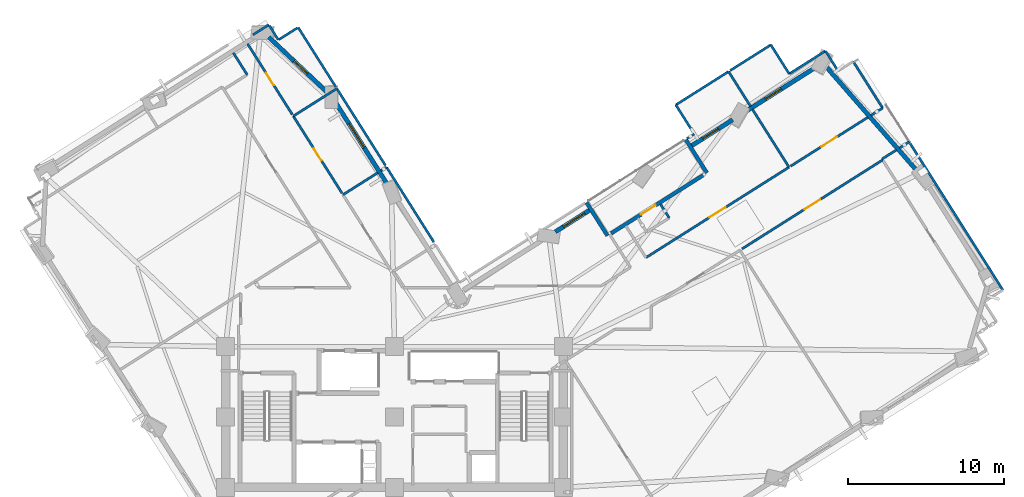
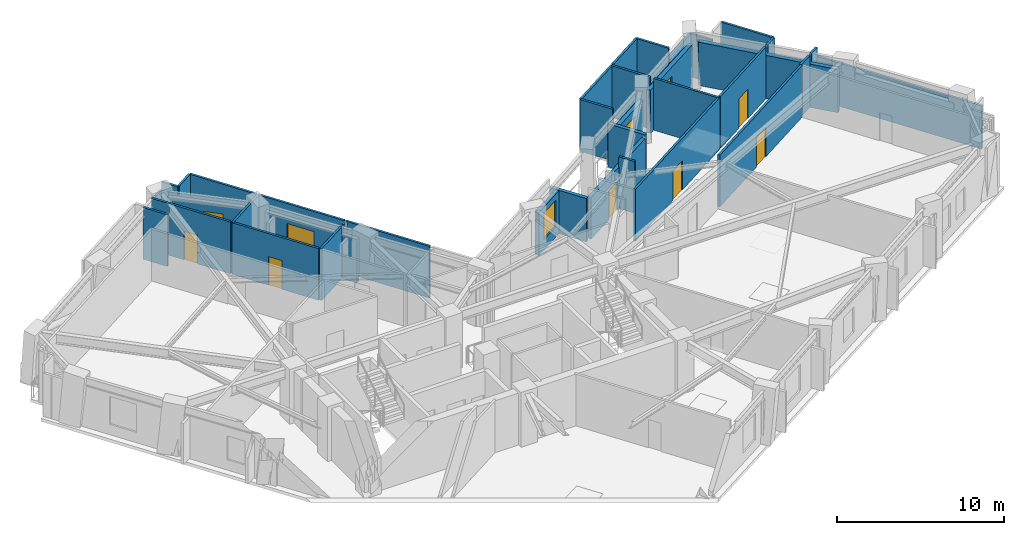
# One storey, part 8 of 14: 39 walls, 6 doors, 5 windows, 11 openings.
"""IFC4 building model written with IfcOpenShell, lengths in metres."""

from ifc_helpers import new_model, si_unit, direction, frame, frame_2d, origin, place, context, subcontext, project, spatial, rectangle, extrude, material, layer, layer_set, type_object, element, fill, save


model = new_model("IFC4")

# Units and contexts
model_context = context("Model", 3, precision=1e-05, world=origin(), true_north=direction((0.0, 1.0)))
body_context = subcontext(model_context, "Body", "Model", "MODEL_VIEW")
ifc_project = project(units=[si_unit("LENGTHUNIT", "METRE"), si_unit("AREAUNIT", "SQUARE_METRE"), si_unit("VOLUMEUNIT", "CUBIC_METRE"), si_unit("PLANEANGLEUNIT", "RADIAN"), si_unit("MASSUNIT", "GRAM", prefix="KILO")], contexts=[model_context])

# Site, building, storey
site_placement = place(None, origin())
site = spatial("IfcSite", under=ifc_project, at=site_placement, CompositionType="ELEMENT")
building_placement = place(site_placement, origin())
building = spatial("IfcBuilding", under=site, at=building_placement, Name="Gaonmaruhae Medical Tower", CompositionType="ELEMENT")
storey_placement = place(building_placement, frame((0.0, 0.0, 161.800048828125)))
storey = spatial("IfcBuildingStorey", under=building, at=storey_placement, Name="L38", CompositionType="ELEMENT", Elevation=161.800048828125)

# Wall, opening, door
ifc_material_1 = material(Name="Precast concrete C45/55", Category="concrete")
ifc_layer_1 = layer(ifc_material_1, 0.239990234375)
ifc_layer_set_1 = layer_set([ifc_layer_1], Name="Precast concrete C45/55")
wall_type_1 = type_object("IfcWallType", Name="EW-240 Ribbon & Shelter Insulated Precast Wall", PredefinedType="SOLIDWALL", material=ifc_layer_set_1)
wall_1_placement = place(storey_placement, frame((38.665283203125, 24.050537109375, 0.0), z_axis=(0.0, 0.0, 1.0), x_axis=(0.84524375299, 0.534380948417, 0.0)))
wall_1 = element("IfcWall", 1, at=wall_1_placement, inside=storey, type_object=wall_type_1, Name="L38 Recessed Terrace Enclosure Wall TERB", PredefinedType="SOLIDWALL", context=body_context, shape_type="SweptSolid", body=[
    extrude(rectangle(XDim=6.9599609375, YDim=0.239990234375, at=frame_2d((3.47998046875, 0.0))), origin(), (0.0, 0.0, 1.0), 3.044921875),
])
opening_1_placement = place(wall_1_placement, frame((2.2626953125, 0.0, 0.0)))
opening_1 = element("IfcOpeningElement", 2, at=opening_1_placement, cuts=wall_1, Name="Opening TD-01", PredefinedType="OPENING", context=body_context, shape_type="SweptSolid", body=[
    extrude(rectangle(XDim=1.10009765625, YDim=2.14990234375, at=frame_2d((0.550048828125, 1.074951171875))), frame((0.0, 0.1298828125, 0.0), z_axis=(0.0, -1.0, 0.0), x_axis=(1.0, 0.0, 0.0)), (0.0, 0.0, 1.0), 0.260009765625),
])
ifc_material_2 = material(Name="Anodised aluminium and toughened safety glass", Category="aluminium")
door_type_1 = type_object("IfcDoorType", Name="TD-01 Terrace & Sky Garden Glazed Door 1100x2150", OperationType="NOTDEFINED", PredefinedType="DOOR", material=ifc_material_2)
door_1_placement = place(opening_1_placement, origin())
door_1 = element("IfcDoor", 3, at=door_1_placement, inside=storey, type_object=door_type_1, Name="L38 Outdoor Terrace Access Door SLB-L38-TER", OperationType="SINGLE_SWING_RIGHT", OverallHeight=2.14990234375, OverallWidth=1.10009765625, PredefinedType="DOOR", context=body_context, shape_type="SweptSolid", body=[
    extrude(rectangle(XDim=1.10009765625, YDim=2.14990234375, at=frame_2d((0.550048828125, 1.074951171875))), frame((0.0, 0.02490234375, 0.0), z_axis=(0.0, -1.0, 0.0), x_axis=(1.0, 0.0, 0.0)), (0.0, 0.0, 1.0), 0.050048828125),
])
fill(opening_1, door_1)

# Walls
wall_2_placement = place(storey_placement, frame((37.092529296875, 26.01416015625, 0.0), z_axis=(0.0, 0.0, 1.0), x_axis=(0.534345648323, -0.845266069423, 0.0)))
element("IfcWall", 4, at=wall_2_placement, inside=storey, type_object=wall_type_1, Name="L38 Recessed Terrace Enclosure Wall TERL", PredefinedType="SOLIDWALL", context=body_context, shape_type="SweptSolid", body=[
    extrude(rectangle(XDim=2.500244140625, YDim=0.239990234375, at=frame_2d((1.25, 0.0))), origin(), (0.0, 0.0, 1.0), 3.1650390625),
])
wall_3_placement = place(storey_placement, frame((44.784912109375, 27.91943359375, 0.0), z_axis=(0.0, 0.0, 1.0), x_axis=(-0.53438975665, 0.845238184175, 0.0)))
element("IfcWall", 5, at=wall_3_placement, inside=storey, type_object=wall_type_1, Name="L38 Recessed Terrace Enclosure Wall TERR", PredefinedType="SOLIDWALL", context=body_context, shape_type="SweptSolid", body=[
    extrude(rectangle(XDim=2.5, YDim=0.239990234375, at=frame_2d((1.25, 0.0))), origin(), (0.0, 0.0, 1.0), 3.1650390625),
])
ifc_layer_2 = layer(ifc_material_1, 0.280029296875)
ifc_layer_set_2 = layer_set([ifc_layer_2], Name="Precast concrete C45/55")
wall_type_2 = type_object("IfcWallType", Name="EW-280 Upper Precast Masonry-Frame Facade Wall", PredefinedType="SOLIDWALL", material=ifc_layer_set_2)
wall_4_placement = place(storey_placement, frame((52.410888671875, 34.717041015625, 0.0), z_axis=(0.0, 0.0, 1.0), x_axis=(0.657255929189, -0.753667462178, 0.0)))
element("IfcWall", 6, at=wall_4_placement, inside=storey, type_object=wall_type_2, Name="L38 Precast Masonry-Frame Wall E02-E03", PredefinedType="SOLIDWALL", context=body_context, shape_type="SweptSolid", body=[
    extrude(rectangle(XDim=8.837646484375, YDim=0.280029296875, at=frame_2d((4.4189453125, 0.0))), origin(), (0.0, 0.0, 1.0), 3.1650390625),
])

# Wall, opening, window
wall_5_placement = place(storey_placement, frame((47.24609375, 31.82958984375, 0.0), z_axis=(0.0, 0.0, 1.0), x_axis=(0.845266635119, 0.534344753464, 0.0)))
wall_5 = element("IfcWall", 7, at=wall_5_placement, inside=storey, type_object=wall_type_2, Name="L38 Precast Masonry-Frame Wall E03-EN01", PredefinedType="SOLIDWALL", context=body_context, shape_type="SweptSolid", body=[
    extrude(rectangle(XDim=5.404541015625, YDim=0.280029296875, at=frame_2d((2.7021484375, 0.0))), origin(), (0.0, 0.0, 1.0), 3.1650390625),
])
opening_2_placement = place(wall_5_placement, frame((1.527587890625, 0.0, 0.75)))
opening_2 = element("IfcOpeningElement", 8, at=opening_2_placement, cuts=wall_5, Name="Opening WN-05", PredefinedType="OPENING", context=body_context, shape_type="SweptSolid", body=[
    extrude(rectangle(XDim=1.199951171875, YDim=1.75, at=frame_2d((0.60009765625, 0.875))), frame((0.0, 0.14990234375, 0.0), z_axis=(0.0, -1.0, 0.0), x_axis=(1.0, 0.0, 0.0)), (0.0, 0.0, 1.0), 0.300048828125),
])
ifc_material_3 = material(Name="Anodised aluminium and Low-E double glazing", Category="aluminium")
window_type_1 = type_object("IfcWindowType", Name="WN-05 Support & Staff Punched Window 1200x1750", PartitioningType="SINGLE_PANEL", PredefinedType="WINDOW", material=ifc_material_3)
window_1_placement = place(opening_2_placement, origin())
window_1 = element("IfcWindow", 9, at=window_1_placement, inside=storey, type_object=window_type_1, Name="L38 Modular Facade Window E03", OverallHeight=1.75, OverallWidth=1.199951171875, PartitioningType="SINGLE_PANEL", PredefinedType="WINDOW", context=body_context, shape_type="SweptSolid", body=[
    extrude(rectangle(XDim=1.199951171875, YDim=1.75, at=frame_2d((0.60009765625, 0.875))), frame((0.0, 0.030029296875, 0.0), z_axis=(0.0, -1.0, 0.0), x_axis=(1.0, 0.0, 0.0)), (0.0, 0.0, 1.0), 0.06005859375),
])
fill(opening_2, window_1)

wall_6_placement = place(storey_placement, frame((43.73828125, 29.612060546875, 0.0), z_axis=(0.0, 0.0, 1.0), x_axis=(0.845268690178, 0.534341502604, 0.0)))
wall_6 = element("IfcWall", 10, at=wall_6_placement, inside=storey, type_object=wall_type_2, Name="L38 Precast Masonry-Frame Wall EN01-EN02", PredefinedType="SOLIDWALL", context=body_context, shape_type="SweptSolid", body=[
    extrude(rectangle(XDim=3.188720703125, YDim=0.280029296875, at=frame_2d((1.59423828125, 0.0))), origin(), (0.0, 0.0, 1.0), 3.044921875),
])
opening_3_placement = place(wall_6_placement, frame((0.915283203125, 0.0, 0.75)))
opening_3 = element("IfcOpeningElement", 11, at=opening_3_placement, cuts=wall_6, Name="Opening WN-05", PredefinedType="OPENING", context=body_context, shape_type="SweptSolid", body=[
    extrude(rectangle(XDim=1.199951171875, YDim=1.75, at=frame_2d((0.60009765625, 0.875))), frame((0.0, 0.14990234375, 0.0), z_axis=(0.0, -1.0, 0.0), x_axis=(1.0, 0.0, 0.0)), (0.0, 0.0, 1.0), 0.300048828125),
])
window_2_placement = place(opening_3_placement, origin())
window_2 = element("IfcWindow", 12, at=window_2_placement, inside=storey, type_object=window_type_1, Name="L38 Modular Facade Window EN01", OverallHeight=1.75, OverallWidth=1.199951171875, PartitioningType="SINGLE_PANEL", PredefinedType="WINDOW", context=body_context, shape_type="SweptSolid", body=[
    extrude(rectangle(XDim=1.199951171875, YDim=1.75, at=frame_2d((0.60009765625, 0.875))), frame((0.0, 0.030029296875, 0.0), z_axis=(0.0, -1.0, 0.0), x_axis=(1.0, 0.0, 0.0)), (0.0, 0.0, 1.0), 0.06005859375),
])
fill(opening_3, window_2)

wall_7_placement = place(storey_placement, frame((35.08837890625, 24.143798828125, 0.0), z_axis=(0.0, 0.0, 1.0), x_axis=(0.845263172576, 0.534350230735, 0.0)))
wall_7 = element("IfcWall", 13, at=wall_7_placement, inside=storey, type_object=wall_type_2, Name="L38 Precast Masonry-Frame Wall EN02-EN03", PredefinedType="SOLIDWALL", context=body_context, shape_type="SweptSolid", body=[
    extrude(rectangle(XDim=2.673828125, YDim=0.280029296875, at=frame_2d((1.3369140625, 0.0))), origin(), (0.0, 0.0, 1.0), 3.14501953125),
])
opening_4_placement = place(wall_7_placement, frame((0.61181640625, 0.0, 0.75)))
opening_4 = element("IfcOpeningElement", 14, at=opening_4_placement, cuts=wall_7, Name="Opening WN-01", PredefinedType="OPENING", context=body_context, shape_type="SweptSolid", body=[
    extrude(rectangle(XDim=1.60009765625, YDim=1.949951171875, at=frame_2d((0.800048828125, 0.97509765625))), frame((0.0, 0.14990234375, 0.0), z_axis=(0.0, -1.0, 0.0), x_axis=(1.0, 0.0, 0.0)), (0.0, 0.0, 1.0), 0.300048828125),
])
window_type_2 = type_object("IfcWindowType", Name="WN-01 Ward Punched Acoustic Window 1600x1950", PartitioningType="SINGLE_PANEL", PredefinedType="WINDOW", material=ifc_material_3)
window_3_placement = place(opening_4_placement, origin())
window_3 = element("IfcWindow", 15, at=window_3_placement, inside=storey, type_object=window_type_2, Name="L38 Modular Facade Window EN02", OverallHeight=1.949951171875, OverallWidth=1.60009765625, PartitioningType="SINGLE_PANEL", PredefinedType="WINDOW", context=body_context, shape_type="SweptSolid", body=[
    extrude(rectangle(XDim=1.60009765625, YDim=1.949951171875, at=frame_2d((0.800048828125, 0.97509765625))), frame((0.0, 0.030029296875, 0.0), z_axis=(0.0, -1.0, 0.0), x_axis=(1.0, 0.0, 0.0)), (0.0, 0.0, 1.0), 0.06005859375),
])
fill(opening_4, window_3)

wall_8_placement = place(storey_placement, frame((24.4091796875, 27.08056640625, 0.0), z_axis=(0.0, 0.0, 1.0), x_axis=(-0.534364923139, 0.845253884296, 0.0)))
wall_8 = element("IfcWall", 16, at=wall_8_placement, inside=storey, type_object=wall_type_2, Name="L38 Precast Masonry-Frame Wall NE01-NE02", PredefinedType="SOLIDWALL", context=body_context, shape_type="SweptSolid", body=[
    extrude(rectangle(XDim=6.22265625, YDim=0.280029296875, at=frame_2d((3.111328125, 0.0))), origin(), (0.0, 0.0, 1.0), 3.1650390625),
])
opening_5_placement = place(wall_8_placement, frame((2.911376953125, 0.0, 0.75)))
opening_5 = element("IfcOpeningElement", 17, at=opening_5_placement, cuts=wall_8, Name="Opening WN-04", PredefinedType="OPENING", context=body_context, shape_type="SweptSolid", body=[
    extrude(rectangle(XDim=1.800048828125, YDim=2.050048828125, at=frame_2d((0.89990234375, 1.02490234375))), frame((0.0, 0.14990234375, 0.0), z_axis=(0.0, -1.0, 0.0), x_axis=(1.0, 0.0, 0.0)), (0.0, 0.0, 1.0), 0.300048828125),
])
window_type_3 = type_object("IfcWindowType", Name="WN-04 Clinic & Consult Punched Window 1800x2050", PartitioningType="SINGLE_PANEL", PredefinedType="WINDOW", material=ifc_material_3)
window_4_placement = place(opening_5_placement, origin())
window_4 = element("IfcWindow", 18, at=window_4_placement, inside=storey, type_object=window_type_3, Name="L38 Modular Facade Window NE01", OverallHeight=2.050048828125, OverallWidth=1.800048828125, PartitioningType="SINGLE_PANEL", PredefinedType="WINDOW", context=body_context, shape_type="SweptSolid", body=[
    extrude(rectangle(XDim=1.800048828125, YDim=2.050048828125, at=frame_2d((0.89990234375, 1.02490234375))), frame((0.0, 0.030029296875, 0.0), z_axis=(0.0, -1.0, 0.0), x_axis=(1.0, 0.0, 0.0)), (0.0, 0.0, 1.0), 0.06005859375),
])
fill(opening_5, window_4)

wall_9_placement = place(storey_placement, frame((16.760009765625, 36.601806640625, 0.0), z_axis=(0.0, 0.0, 1.0), x_axis=(0.727536761249, -0.686068699936, 0.0)))
wall_9 = element("IfcWall", 19, at=wall_9_placement, inside=storey, type_object=wall_type_2, Name="L38 Precast Masonry-Frame Wall NE02-N01", PredefinedType="SOLIDWALL", context=body_context, shape_type="SweptSolid", body=[
    extrude(rectangle(XDim=5.092529296875, YDim=0.280029296875, at=frame_2d((2.54638671875, 0.0))), origin(), (0.0, 0.0, 1.0), 3.1650390625),
])
opening_6_placement = place(wall_9_placement, frame((2.219970703125, 0.0, 0.75)))
opening_6 = element("IfcOpeningElement", 20, at=opening_6_placement, cuts=wall_9, Name="Opening WN-05", PredefinedType="OPENING", context=body_context, shape_type="SweptSolid", body=[
    extrude(rectangle(XDim=1.199951171875, YDim=1.75, at=frame_2d((0.60009765625, 0.875))), frame((0.0, 0.14990234375, 0.0), z_axis=(0.0, -1.0, 0.0), x_axis=(1.0, 0.0, 0.0)), (0.0, 0.0, 1.0), 0.300048828125),
])
window_5_placement = place(opening_6_placement, origin())
window_5 = element("IfcWindow", 21, at=window_5_placement, inside=storey, type_object=window_type_1, Name="L38 Modular Facade Window NE02", OverallHeight=1.75, OverallWidth=1.199951171875, PartitioningType="SINGLE_PANEL", PredefinedType="WINDOW", context=body_context, shape_type="SweptSolid", body=[
    extrude(rectangle(XDim=1.199951171875, YDim=1.75, at=frame_2d((0.60009765625, 0.875))), frame((0.0, 0.030029296875, 0.0), z_axis=(0.0, -1.0, 0.0), x_axis=(1.0, 0.0, 0.0)), (0.0, 0.0, 1.0), 0.06005859375),
])
fill(opening_6, window_5)

# Wall, opening, door
ifc_material_4 = material(Name="Gypsum board partition", Category="gypsum")
ifc_layer_3 = layer(ifc_material_4, 0.14990234375)
ifc_layer_set_3 = layer_set([ifc_layer_3], Name="Gypsum board partition")
wall_type_3 = type_object("IfcWallType", Name="PW-150 Rated Clinical Corridor Partition", PredefinedType="PARTITIONING", material=ifc_layer_set_3)
wall_10_placement = place(storey_placement, frame((47.033935546875, 23.05908203125, 0.0), z_axis=(0.0, 0.0, 1.0), x_axis=(0.845254384561, 0.534364131825, 0.0)))
wall_10 = element("IfcWall", 22, at=wall_10_placement, inside=storey, type_object=wall_type_3, Name="L38 Interior Partition L38-SUP04-28", PredefinedType="PARTITIONING", context=body_context, shape_type="SweptSolid", body=[
    extrude(rectangle(XDim=10.640869140625, YDim=0.14990234375, at=frame_2d((5.3203125, 0.0))), origin(), (0.0, 0.0, 1.0), 3.780029296875),
])
opening_7_placement = place(wall_10_placement, frame((4.72021484375, 0.0, 0.0)))
opening_7 = element("IfcOpeningElement", 23, at=opening_7_placement, cuts=wall_10, Name="Opening CD-02", PredefinedType="OPENING", context=body_context, shape_type="SweptSolid", body=[
    extrude(rectangle(XDim=1.199951171875, YDim=2.14990234375, at=frame_2d((0.60009765625, 1.074951171875))), frame((0.0, 0.0849609375, 0.0), z_axis=(0.0, -1.0, 0.0), x_axis=(1.0, 0.0, 0.0)), (0.0, 0.0, 1.0), 0.169921875),
])
ifc_material_5 = material(Name="Antimicrobial laminate timber fire door", Category="wood")
door_type_2 = type_object("IfcDoorType", Name="CD-02 Clinical Treatment & Procedure Door 1200x2150", OperationType="NOTDEFINED", PredefinedType="DOOR", material=ifc_material_5)
door_2_placement = place(opening_7_placement, origin())
door_2 = element("IfcDoor", 24, at=door_2_placement, inside=storey, type_object=door_type_2, Name="L38 Clinical Biomedical Charting Office Door", OperationType="SINGLE_SWING_LEFT", OverallHeight=2.14990234375, OverallWidth=1.199951171875, PredefinedType="DOOR", context=body_context, shape_type="SweptSolid", body=[
    extrude(rectangle(XDim=1.199951171875, YDim=2.14990234375, at=frame_2d((0.60009765625, 1.074951171875))), frame((0.0, 0.02490234375, 0.0), z_axis=(0.0, -1.0, 0.0), x_axis=(1.0, 0.0, 0.0)), (0.0, 0.0, 1.0), 0.050048828125),
])
fill(opening_7, door_2)

# Walls
wall_11_placement = place(storey_placement, frame((43.968994140625, 30.407958984375, 0.0), z_axis=(0.0, 0.0, 1.0), x_axis=(-0.534389454456, 0.845238375233, 0.0)))
element("IfcWall", 25, at=wall_11_placement, inside=storey, type_object=wall_type_3, Name="L38 Interior Partition L38-IE02-65", PredefinedType="PARTITIONING", context=body_context, shape_type="SweptSolid", body=[
    extrude(rectangle(XDim=2.20068359375, YDim=0.14990234375, at=frame_2d((1.100341796875, 0.0))), origin(), (0.0, 0.0, 1.0), 3.780029296875),
])
wall_12_placement = place(storey_placement, frame((42.79296875, 32.26806640625, 0.0), z_axis=(0.0, 0.0, 1.0), x_axis=(0.845240509007, 0.534386079473, 0.0)))
element("IfcWall", 26, at=wall_12_placement, inside=storey, type_object=wall_type_3, Name="L38 Interior Partition L38-IE02-66", PredefinedType="PARTITIONING", context=body_context, shape_type="SweptSolid", body=[
    extrude(rectangle(XDim=3.995361328125, YDim=0.14990234375, at=frame_2d((1.99755859375, 0.0))), origin(), (0.0, 0.0, 1.0), 3.780029296875),
])
wall_13_placement = place(storey_placement, frame((46.169921875, 34.403076171875, 0.0), z_axis=(0.0, 0.0, 1.0), x_axis=(0.53437293713, -0.845248817842, 0.0)))
element("IfcWall", 27, at=wall_13_placement, inside=storey, type_object=wall_type_3, Name="L38 Interior Partition L38-IE02-67", PredefinedType="PARTITIONING", context=body_context, shape_type="SweptSolid", body=[
    extrude(rectangle(XDim=2.634765625, YDim=0.14990234375, at=frame_2d((1.3173828125, 0.0))), origin(), (0.0, 0.0, 1.0), 3.780029296875),
])
wall_14_placement = place(storey_placement, frame((47.700927734375, 31.98095703125, 0.0), z_axis=(0.0, 0.0, 1.0), x_axis=(0.534410719014, -0.845224930657, 0.0)))
element("IfcWall", 28, at=wall_14_placement, inside=storey, type_object=wall_type_3, Name="L38 Interior Partition L38-IE02-68", PredefinedType="PARTITIONING", context=body_context, shape_type="SweptSolid", body=[
    extrude(rectangle(XDim=4.375244140625, YDim=0.14990234375, at=frame_2d((2.1875, 0.0))), origin(), (0.0, 0.0, 1.0), 3.780029296875),
])

# Wall, opening, door
wall_15_placement = place(storey_placement, frame((50.0390625, 28.282958984375, 0.0), z_axis=(0.0, 0.0, 1.0), x_axis=(-0.845280431179, -0.534322929197, 0.0)))
wall_15 = element("IfcWall", 29, at=wall_15_placement, inside=storey, type_object=wall_type_3, Name="L38 Interior Partition L38-IE02-69", PredefinedType="PARTITIONING", context=body_context, shape_type="SweptSolid", body=[
    extrude(rectangle(XDim=10.828369140625, YDim=0.14990234375, at=frame_2d((5.4140625, 0.0))), origin(), (0.0, 0.0, 1.0), 3.780029296875),
])
opening_8_placement = place(wall_15_placement, frame((4.814208984375, 0.0, 0.0)))
opening_8 = element("IfcOpeningElement", 30, at=opening_8_placement, cuts=wall_15, Name="Opening CD-02", PredefinedType="OPENING", context=body_context, shape_type="SweptSolid", body=[
    extrude(rectangle(XDim=1.199951171875, YDim=2.14990234375, at=frame_2d((0.60009765625, 1.074951171875))), frame((0.0, 0.0849609375, 0.0), z_axis=(0.0, -1.0, 0.0), x_axis=(1.0, 0.0, 0.0)), (0.0, 0.0, 1.0), 0.169921875),
])
door_3_placement = place(opening_8_placement, origin())
door_3 = element("IfcDoor", 31, at=door_3_placement, inside=storey, type_object=door_type_2, Name="L38 Acute Treatment Examination Room Door", OperationType="SINGLE_SWING_RIGHT", OverallHeight=2.14990234375, OverallWidth=1.199951171875, PredefinedType="DOOR", context=body_context, shape_type="SweptSolid", body=[
    extrude(rectangle(XDim=1.199951171875, YDim=2.14990234375, at=frame_2d((0.60009765625, 1.074951171875))), frame((0.0, 0.02490234375, 0.0), z_axis=(0.0, -1.0, 0.0), x_axis=(1.0, 0.0, 0.0)), (0.0, 0.0, 1.0), 0.050048828125),
])
fill(opening_8, door_3)

# Walls
wall_16_placement = place(storey_placement, frame((42.3759765625, 25.035888671875, 0.0), z_axis=(0.0, 0.0, 1.0), x_axis=(-0.534776670064, 0.844993439711, 0.0)))
element("IfcWall", 32, at=wall_16_placement, inside=storey, type_object=wall_type_3, Name="L38 Interior Partition L38-IE02-73", PredefinedType="PARTITIONING", context=body_context, shape_type="SweptSolid", body=[
    extrude(rectangle(XDim=1.0546875, YDim=0.14990234375, at=frame_2d((0.52734375, 0.0))), origin(), (0.0, 0.0, 1.0), 3.780029296875),
])
wall_17_placement = place(storey_placement, frame((43.5, 30.112060546875, 0.0), z_axis=(0.0, 0.0, 1.0), x_axis=(0.845739888668, 0.533595390456, 0.0)))
element("IfcWall", 33, at=wall_17_placement, inside=storey, type_object=wall_type_3, Name="L38 Interior Partition L38-IE02-74", PredefinedType="PARTITIONING", context=body_context, shape_type="SweptSolid", body=[
    extrude(rectangle(XDim=0.554443359375, YDim=0.14990234375, at=frame_2d((0.27734375, 0.0))), origin(), (0.0, 0.0, 1.0), 3.14501953125),
])
wall_18_placement = place(storey_placement, frame((50.053955078125, 34.256103515625, 0.0), z_axis=(0.0, 0.0, 1.0), x_axis=(0.845480432123, 0.534006403424, 0.0)))
element("IfcWall", 34, at=wall_18_placement, inside=storey, type_object=wall_type_3, Name="L38 Interior Partition L38-IE03-75", PredefinedType="PARTITIONING", context=body_context, shape_type="SweptSolid", body=[
    extrude(rectangle(XDim=2.739501953125, YDim=0.14990234375, at=frame_2d((1.36962890625, 0.0))), origin(), (0.0, 0.0, 1.0), 3.1650390625),
])
wall_19_placement = place(storey_placement, frame((52.3701171875, 35.718994140625, 0.0), z_axis=(0.0, 0.0, 1.0), x_axis=(0.533943992974, -0.845519847411, 0.0)))
element("IfcWall", 35, at=wall_19_placement, inside=storey, type_object=wall_type_3, Name="L38 Interior Partition L38-IE03-76", PredefinedType="PARTITIONING", context=body_context, shape_type="SweptSolid", body=[
    extrude(rectangle(XDim=1.499755859375, YDim=0.14990234375, at=frame_2d((0.75, 0.0))), origin(), (0.0, 0.0, 1.0), 3.1650390625),
])
wall_20_placement = place(storey_placement, frame((54.135009765625, 35.06103515625, 0.0), z_axis=(0.0, 0.0, 1.0), x_axis=(0.534114933468, -0.845411874678, 0.0)))
element("IfcWall", 36, at=wall_20_placement, inside=storey, type_object=wall_type_3, Name="L38 Interior Partition L38-IE03-78", PredefinedType="PARTITIONING", context=body_context, shape_type="SweptSolid", body=[
    extrude(rectangle(XDim=3.540283203125, YDim=0.14990234375, at=frame_2d((1.77001953125, 0.0))), origin(), (0.0, 0.0, 1.0), 3.780029296875),
])
wall_21_placement = place(storey_placement, frame((56.02587890625, 32.068115234375, 0.0), z_axis=(0.0, 0.0, 1.0), x_axis=(-0.844973843972, -0.534807631774, 0.0)))
element("IfcWall", 37, at=wall_21_placement, inside=storey, type_object=wall_type_3, Name="L38 Interior Partition L38-IE03-79", PredefinedType="PARTITIONING", context=body_context, shape_type="SweptSolid", body=[
    extrude(rectangle(XDim=0.879150390625, YDim=0.14990234375, at=frame_2d((0.439453125, 0.0))), origin(), (0.0, 0.0, 1.0), 3.780029296875),
])

# Wall, opening, door
wall_22_placement = place(storey_placement, frame((55.0859375, 31.47412109375, 0.0), z_axis=(0.0, 0.0, 1.0), x_axis=(-0.845228065929, -0.534405760229, 0.0)))
wall_22 = element("IfcWall", 38, at=wall_22_placement, inside=storey, type_object=wall_type_3, Name="L38 Interior Partition L38-IE03-80", PredefinedType="PARTITIONING", context=body_context, shape_type="SweptSolid", body=[
    extrude(rectangle(XDim=5.851806640625, YDim=0.14990234375, at=frame_2d((2.92578125, 0.0))), origin(), (0.0, 0.0, 1.0), 3.780029296875),
])
opening_9_placement = place(wall_22_placement, frame((2.32568359375, 0.0, 0.0)))
opening_9 = element("IfcOpeningElement", 39, at=opening_9_placement, cuts=wall_22, Name="Opening CD-02", PredefinedType="OPENING", context=body_context, shape_type="SweptSolid", body=[
    extrude(rectangle(XDim=1.199951171875, YDim=2.14990234375, at=frame_2d((0.60009765625, 1.074951171875))), frame((0.0, 0.0849609375, 0.0), z_axis=(0.0, -1.0, 0.0), x_axis=(1.0, 0.0, 0.0)), (0.0, 0.0, 1.0), 0.169921875),
])
door_4_placement = place(opening_9_placement, origin())
door_4 = element("IfcDoor", 40, at=door_4_placement, inside=storey, type_object=door_type_2, Name="L38 Clean Medication Preparation Room Door", OperationType="SINGLE_SWING_RIGHT", OverallHeight=2.14990234375, OverallWidth=1.199951171875, PredefinedType="DOOR", context=body_context, shape_type="SweptSolid", body=[
    extrude(rectangle(XDim=1.199951171875, YDim=2.14990234375, at=frame_2d((0.60009765625, 1.074951171875))), frame((0.0, 0.02490234375, 0.0), z_axis=(0.0, -1.0, 0.0), x_axis=(1.0, 0.0, 0.0)), (0.0, 0.0, 1.0), 0.050048828125),
])
fill(opening_9, door_4)

# Walls
wall_23_placement = place(storey_placement, frame((46.27099609375, 34.467041015625, 0.0), z_axis=(0.0, 0.0, 1.0), x_axis=(0.845364764878, 0.534189492879, 0.0)))
element("IfcWall", 41, at=wall_23_placement, inside=storey, type_object=wall_type_3, Name="L38 Interior Partition L38-IE03-81", PredefinedType="PARTITIONING", context=body_context, shape_type="SweptSolid", body=[
    extrude(rectangle(XDim=3.0849609375, YDim=0.14990234375, at=frame_2d((1.54248046875, 0.0))), origin(), (0.0, 0.0, 1.0), 3.780029296875),
])
wall_24_placement = place(storey_placement, frame((48.87890625, 36.114990234375, 0.0), z_axis=(0.0, 0.0, 1.0), x_axis=(0.53432292285, -0.845280435191, 0.0)))
element("IfcWall", 42, at=wall_24_placement, inside=storey, type_object=wall_type_3, Name="L38 Interior Partition L38-IE03-82", PredefinedType="PARTITIONING", context=body_context, shape_type="SweptSolid", body=[
    extrude(rectangle(XDim=2.19921875, YDim=0.14990234375, at=frame_2d((1.099609375, 0.0))), origin(), (0.0, 0.0, 1.0), 3.780029296875),
])
wall_25_placement = place(storey_placement, frame((21.510009765625, 26.52099609375, 0.0), z_axis=(0.0, 0.0, 1.0), x_axis=(0.845248817842, 0.53437293713, 0.0)))
element("IfcWall", 43, at=wall_25_placement, inside=storey, type_object=wall_type_3, Name="L38 Interior Partition L38-IN01-84", PredefinedType="PARTITIONING", context=body_context, shape_type="SweptSolid", body=[
    extrude(rectangle(XDim=2.634765625, YDim=0.14990234375, at=frame_2d((1.3173828125, 0.0))), origin(), (0.0, 0.0, 1.0), 3.780029296875),
])
wall_26_placement = place(storey_placement, frame((23.930908203125, 28.052001953125, 0.0), z_axis=(0.0, 0.0, 1.0), x_axis=(0.846101639655, 0.533021589969, 0.0)))
element("IfcWall", 44, at=wall_26_placement, inside=storey, type_object=wall_type_3, Name="L38 Interior Partition L38-IN01-85", PredefinedType="PARTITIONING", context=body_context, shape_type="SweptSolid", body=[
    extrude(rectangle(XDim=0.43505859375, YDim=0.14990234375, at=frame_2d((0.217529296875, 0.0))), origin(), (0.0, 0.0, 1.0), 3.780029296875),
])
wall_27_placement = place(storey_placement, frame((24.299072265625, 28.283935546875, 0.0), z_axis=(0.0, 0.0, 1.0), x_axis=(0.534373014898, -0.845248768677, 0.0)))
element("IfcWall", 45, at=wall_27_placement, inside=storey, type_object=wall_type_3, Name="L38 Interior Partition L38-IN01-86", PredefinedType="PARTITIONING", context=body_context, shape_type="SweptSolid", body=[
    extrude(rectangle(XDim=5.6552734375, YDim=0.14990234375, at=frame_2d((2.82763671875, 0.0))), origin(), (0.0, 0.0, 1.0), 3.780029296875),
])

# Wall, opening, door
wall_28_placement = place(storey_placement, frame((21.446044921875, 26.6220703125, 0.0), z_axis=(0.0, 0.0, 1.0), x_axis=(-0.534429314986, 0.845213172687, 0.0)))
wall_28 = element("IfcWall", 46, at=wall_28_placement, inside=storey, type_object=wall_type_3, Name="L38 Interior Partition L38-IN02-87", PredefinedType="PARTITIONING", context=body_context, shape_type="SweptSolid", body=[
    extrude(rectangle(XDim=5.83056640625, YDim=0.14990234375, at=frame_2d((2.915283203125, 0.0))), origin(), (0.0, 0.0, 1.0), 3.780029296875),
])
opening_10_placement = place(wall_28_placement, frame((2.455078125, 0.0, 0.0)))
opening_10 = element("IfcOpeningElement", 47, at=opening_10_placement, cuts=wall_28, Name="Opening UD-01", PredefinedType="OPENING", context=body_context, shape_type="SweptSolid", body=[
    extrude(rectangle(XDim=0.919921875, YDim=2.10009765625, at=frame_2d((0.4599609375, 1.050048828125))), frame((0.0, 0.0849609375, 0.0), z_axis=(0.0, -1.0, 0.0), x_axis=(1.0, 0.0, 0.0)), (0.0, 0.0, 1.0), 0.169921875),
])
ifc_material_6 = material(Name="Powder-coated steel utility door", Category="steel")
door_type_3 = type_object("IfcDoorType", Name="UD-01 Toilet, Utility & Housekeeping Door 920x2100", OperationType="NOTDEFINED", PredefinedType="DOOR", material=ifc_material_6)
door_5_placement = place(opening_10_placement, origin())
door_5 = element("IfcDoor", 48, at=door_5_placement, inside=storey, type_object=door_type_3, Name="L38 Ward Nutrition Pantry Door", OperationType="SINGLE_SWING_RIGHT", OverallHeight=2.10009765625, OverallWidth=0.919921875, PredefinedType="DOOR", context=body_context, shape_type="SweptSolid", body=[
    extrude(rectangle(XDim=0.919921875, YDim=2.10009765625, at=frame_2d((0.4599609375, 1.050048828125))), frame((0.0, 0.02490234375, 0.0), z_axis=(0.0, -1.0, 0.0), x_axis=(1.0, 0.0, 0.0)), (0.0, 0.0, 1.0), 0.050048828125),
])
fill(opening_10, door_5)

# Walls
wall_29_placement = place(storey_placement, frame((18.330078125, 31.550048828125, 0.0), z_axis=(0.0, 0.0, 1.0), x_axis=(0.845378143146, 0.534168320936, 0.0)))
element("IfcWall", 49, at=wall_29_placement, inside=storey, type_object=wall_type_3, Name="L38 Interior Partition L38-IN02-88", PredefinedType="PARTITIONING", context=body_context, shape_type="SweptSolid", body=[
    extrude(rectangle(XDim=3.30029296875, YDim=0.14990234375, at=frame_2d((1.650146484375, 0.0))), origin(), (0.0, 0.0, 1.0), 3.780029296875),
])
wall_30_placement = place(storey_placement, frame((21.1201171875, 33.31298828125, 0.0), z_axis=(0.0, 0.0, 1.0), x_axis=(0.53438530718, -0.845240997272, 0.0)))
element("IfcWall", 50, at=wall_30_placement, inside=storey, type_object=wall_type_3, Name="L38 Interior Partition L38-IN02-89", PredefinedType="PARTITIONING", context=body_context, shape_type="SweptSolid", body=[
    extrude(rectangle(XDim=5.8291015625, YDim=0.14990234375, at=frame_2d((2.91455078125, 0.0))), origin(), (0.0, 0.0, 1.0), 3.780029296875),
])
wall_31_placement = place(storey_placement, frame((18.64306640625, 37.23095703125, 0.0), z_axis=(0.0, 0.0, 1.0), x_axis=(0.534434415404, -0.845209947665, 0.0)))
element("IfcWall", 51, at=wall_31_placement, inside=storey, type_object=wall_type_3, Name="L38 Interior Partition L38-IN03-90", PredefinedType="PARTITIONING", context=body_context, shape_type="SweptSolid", body=[
    extrude(rectangle(XDim=4.5146484375, YDim=0.14990234375, at=frame_2d((2.25732421875, 0.0))), origin(), (0.0, 0.0, 1.0), 3.780029296875),
])

# Wall, opening, door
wall_32_placement = place(storey_placement, frame((18.26611328125, 31.652099609375, 0.0), z_axis=(0.0, 0.0, 1.0), x_axis=(-0.534496026991, 0.84517098692, 0.0)))
wall_32 = element("IfcWall", 52, at=wall_32_placement, inside=storey, type_object=wall_type_3, Name="L38 Interior Partition L38-IN03-91", PredefinedType="PARTITIONING", context=body_context, shape_type="SweptSolid", body=[
    extrude(rectangle(XDim=5.34912109375, YDim=0.14990234375, at=frame_2d((2.674560546875, 0.0))), origin(), (0.0, 0.0, 1.0), 3.780029296875),
])
opening_11_placement = place(wall_32_placement, frame((2.214599609375, 0.0, 0.0)))
opening_11 = element("IfcOpeningElement", 53, at=opening_11_placement, cuts=wall_32, Name="Opening UD-01", PredefinedType="OPENING", context=body_context, shape_type="SweptSolid", body=[
    extrude(rectangle(XDim=0.919921875, YDim=2.10009765625, at=frame_2d((0.4599609375, 1.050048828125))), frame((0.0, 0.0849609375, 0.0), z_axis=(0.0, -1.0, 0.0), x_axis=(1.0, 0.0, 0.0)), (0.0, 0.0, 1.0), 0.169921875),
])
door_6_placement = place(opening_11_placement, origin())
door_6 = element("IfcDoor", 54, at=door_6_placement, inside=storey, type_object=door_type_3, Name="L38 Public Visitor Toilet Door", OperationType="SINGLE_SWING_RIGHT", OverallHeight=2.10009765625, OverallWidth=0.919921875, PredefinedType="DOOR", context=body_context, shape_type="SweptSolid", body=[
    extrude(rectangle(XDim=0.919921875, YDim=2.10009765625, at=frame_2d((0.4599609375, 1.050048828125))), frame((0.0, 0.02490234375, 0.0), z_axis=(0.0, -1.0, 0.0), x_axis=(1.0, 0.0, 0.0)), (0.0, 0.0, 1.0), 0.050048828125),
])
fill(opening_11, door_6)

# Walls
wall_33_placement = place(storey_placement, frame((15.75, 36.7509765625, 0.0), z_axis=(0.0, 0.0, 1.0), x_axis=(0.845363390997, 0.534191667065, 0.0)))
element("IfcWall", 55, at=wall_33_placement, inside=storey, type_object=wall_type_3, Name="L38 Interior Partition L38-IN03-92", PredefinedType="PARTITIONING", context=body_context, shape_type="SweptSolid", body=[
    extrude(rectangle(XDim=1.201904296875, YDim=0.14990234375, at=frame_2d((0.60107421875, 0.0))), origin(), (0.0, 0.0, 1.0), 3.1650390625),
])
wall_34_placement = place(storey_placement, frame((16.79296875, 37.35107421875, 0.0), z_axis=(0.0, 0.0, 1.0), x_axis=(0.534161581177, -0.845382401754, 0.0)))
element("IfcWall", 56, at=wall_34_placement, inside=storey, type_object=wall_type_3, Name="L38 Interior Partition L38-IN03-93", PredefinedType="PARTITIONING", context=body_context, shape_type="SweptSolid", body=[
    extrude(rectangle(XDim=1.089599609375, YDim=0.14990234375, at=frame_2d((0.544921875, 0.0))), origin(), (0.0, 0.0, 1.0), 3.780029296875),
])
wall_35_placement = place(storey_placement, frame((17.4169921875, 36.45703125, 0.0), z_axis=(0.0, 0.0, 1.0), x_axis=(0.845737430746, 0.533599286202, 0.0)))
element("IfcWall", 57, at=wall_35_placement, inside=storey, type_object=wall_type_3, Name="L38 Interior Partition L38-IN03-94", PredefinedType="PARTITIONING", context=body_context, shape_type="SweptSolid", body=[
    extrude(rectangle(XDim=1.400146484375, YDim=0.14990234375, at=frame_2d((0.7001953125, 0.0))), origin(), (0.0, 0.0, 1.0), 3.780029296875),
])
wall_36_placement = place(storey_placement, frame((14.493896484375, 35.595947265625, 0.0), z_axis=(0.0, 0.0, 1.0), x_axis=(0.534897610299, -0.84491688733, 0.0)))
element("IfcWall", 58, at=wall_36_placement, inside=storey, type_object=wall_type_3, Name="L38 Interior Partition L38-RM02-100", PredefinedType="PARTITIONING", context=body_context, shape_type="SweptSolid", body=[
    extrude(rectangle(XDim=1.654541015625, YDim=0.14990234375, at=frame_2d((0.8271484375, 0.0))), origin(), (0.0, 0.0, 1.0), 3.780029296875),
])
wall_37_placement = place(storey_placement, frame((55.990966796875, 28.803955078125, 0.0), z_axis=(0.0, 0.0, 1.0), x_axis=(0.844954487562, 0.534838212872, 0.0)))
element("IfcWall", 59, at=wall_37_placement, inside=storey, type_object=wall_type_3, Name="L38 Interior Partition L38-RM03-103", PredefinedType="PARTITIONING", context=body_context, shape_type="SweptSolid", body=[
    extrude(rectangle(XDim=1.08642578125, YDim=0.14990234375, at=frame_2d((0.543212890625, 0.0))), origin(), (0.0, 0.0, 1.0), 3.780029296875),
])
wall_38_placement = place(storey_placement, frame((57.10498046875, 29.509033203125, 0.0), z_axis=(0.0, 0.0, 1.0), x_axis=(0.845378510232, 0.534167739982, 0.0)))
element("IfcWall", 60, at=wall_38_placement, inside=storey, type_object=wall_type_3, Name="L38 Interior Partition L38-RM03-104", PredefinedType="PARTITIONING", context=body_context, shape_type="SweptSolid", body=[
    extrude(rectangle(XDim=0.73583984375, YDim=0.14990234375, at=frame_2d((0.367919921875, 0.0))), origin(), (0.0, 0.0, 1.0), 3.780029296875),
])
wall_39_placement = place(storey_placement, frame((57.72705078125, 29.902099609375, 0.0), z_axis=(0.0, 0.0, 1.0), x_axis=(0.534367056092, -0.845252535852, 0.0)))
element("IfcWall", 61, at=wall_39_placement, inside=storey, type_object=wall_type_3, Name="L38 Interior Partition L38-RM03-105", PredefinedType="PARTITIONING", context=body_context, shape_type="SweptSolid", body=[
    extrude(rectangle(XDim=11.220458984375, YDim=0.14990234375, at=frame_2d((5.6103515625, 0.0))), origin(), (0.0, 0.0, 1.0), 3.1650390625),
])

save(model, "model.ifc")
